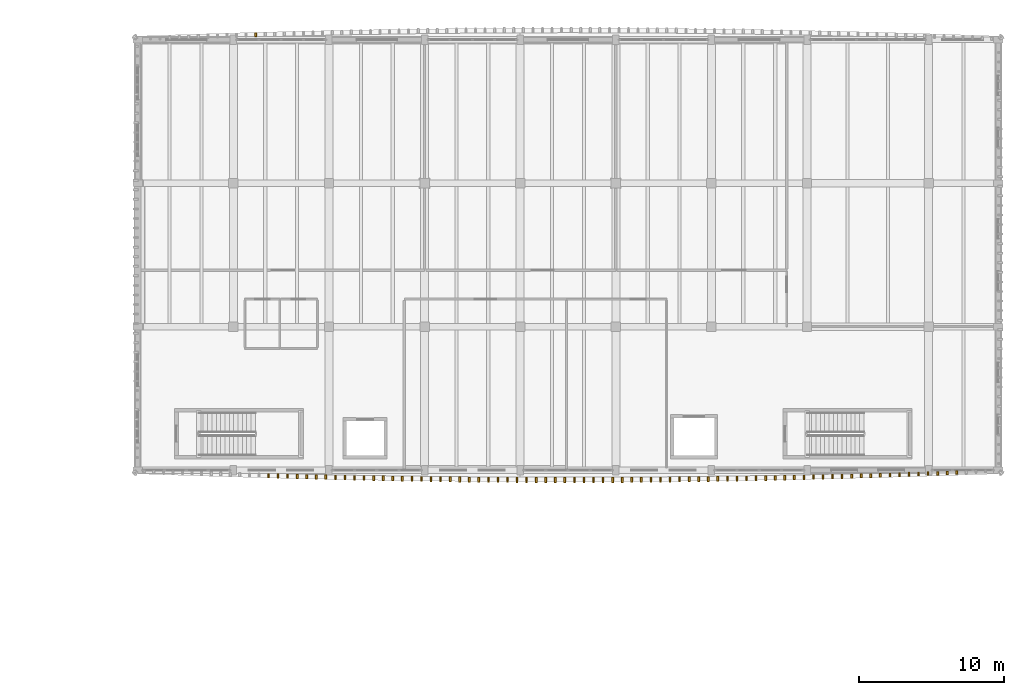
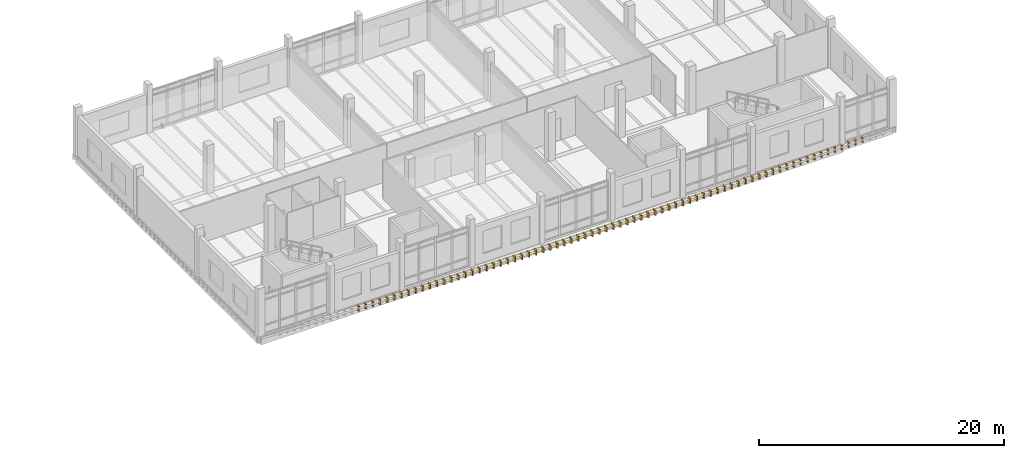
# One storey, part 73 of 76: 74 coverings.
"""IFC4 building model written with IfcOpenShell, lengths in metres."""

from ifc_helpers import new_model, si_unit, direction, frame, origin, origin_2d, place, context, subcontext, project, spatial, rectangle, extrude, material, layer, layer_set, type_object, element, save


model = new_model("IFC4")

# Units and contexts
model_context = context("Model", 3, precision=1e-05, world=origin(), true_north=direction((0.0, 1.0)))
body_context = subcontext(model_context, "Body", "Model", "MODEL_VIEW")
ifc_project = project(units=[si_unit("LENGTHUNIT", "METRE"), si_unit("AREAUNIT", "SQUARE_METRE"), si_unit("VOLUMEUNIT", "CUBIC_METRE"), si_unit("PLANEANGLEUNIT", "RADIAN"), si_unit("MASSUNIT", "GRAM", prefix="KILO")], contexts=[model_context])

# Site, building, storey
site_placement = place(None, origin())
site = spatial("IfcSite", under=ifc_project, at=site_placement, CompositionType="ELEMENT")
building_placement = place(site_placement, origin())
building = spatial("IfcBuilding", under=site, at=building_placement, Name="Dornvale Research Institute", CompositionType="ELEMENT")
storey_placement = place(building_placement, frame((0.0, 0.0, 15.0)))
storey = spatial("IfcBuildingStorey", under=building, at=storey_placement, Name="L03", CompositionType="ELEMENT", Elevation=15.0)

# Coverings
ifc_material = material(Name="Polychrome Glazed Terracotta Visor Rib Ceramic", Category="masonry")
ifc_layer = layer(ifc_material, 0.1201171875)
ifc_layer_set = layer_set([ifc_layer], Name="Polychrome Glazed Terracotta Visor Rib Ceramic")
covering_type = type_object("IfcCoveringType", Name="Covering_VisorBlade_Low", PredefinedType="CLADDING", material=ifc_layer_set)
covering_1_placement = place(storey_placement, frame((127.825439453125, 92.015869140625, -0.489990234375), z_axis=(0.0, 0.0, 1.0), x_axis=(0.0, 1.0, 0.0)))
element("IfcCovering", 1, at=covering_1_placement, inside=storey, type_object=covering_type, Name="L03 V4 canted glazed terracotta visor blade #2268", PredefinedType="CLADDING", context=body_context, shape_type="SweptSolid", body=[
    extrude(rectangle(XDim=0.281982421875, YDim=0.1201171875, at=origin_2d()), origin(), (0.0, 0.0, 1.0), 0.5),
])
covering_2_placement = place(storey_placement, frame((128.4853515625, 91.996337890625, -0.489990234375), z_axis=(0.0, 0.0, 1.0), x_axis=(0.0, 1.0, 0.0)))
element("IfcCovering", 2, at=covering_2_placement, inside=storey, type_object=covering_type, Name="L03 V4 canted glazed terracotta visor blade #2269", PredefinedType="CLADDING", context=body_context, shape_type="SweptSolid", body=[
    extrude(rectangle(XDim=0.287109375, YDim=0.1201171875, at=origin_2d()), origin(), (0.0, 0.0, 1.0), 0.5),
])
covering_3_placement = place(storey_placement, frame((129.14501953125, 91.977783203125, -0.489990234375), z_axis=(0.0, 0.0, 1.0), x_axis=(0.0, 1.0, 0.0)))
element("IfcCovering", 3, at=covering_3_placement, inside=storey, type_object=covering_type, Name="L03 V4 canted glazed terracotta visor blade #2270", PredefinedType="CLADDING", context=body_context, shape_type="SweptSolid", body=[
    extrude(rectangle(XDim=0.2919921875, YDim=0.1201171875, at=origin_2d()), origin(), (0.0, 0.0, 1.0), 0.5),
])
covering_4_placement = place(storey_placement, frame((129.804931640625, 91.959716796875, -0.489990234375), z_axis=(0.0, 0.0, 1.0), x_axis=(0.0, 1.0, 0.0)))
element("IfcCovering", 4, at=covering_4_placement, inside=storey, type_object=covering_type, Name="L03 V4 canted glazed terracotta visor blade #2271", PredefinedType="CLADDING", context=body_context, shape_type="SweptSolid", body=[
    extrude(rectangle(XDim=0.297119140625, YDim=0.1201171875, at=origin_2d()), origin(), (0.0, 0.0, 1.0), 0.5),
])
covering_5_placement = place(storey_placement, frame((130.464599609375, 91.9423828125, -0.489990234375), z_axis=(0.0, 0.0, 1.0), x_axis=(0.0, 1.0, 0.0)))
element("IfcCovering", 5, at=covering_5_placement, inside=storey, type_object=covering_type, Name="L03 V4 canted glazed terracotta visor blade #2272", PredefinedType="CLADDING", context=body_context, shape_type="SweptSolid", body=[
    extrude(rectangle(XDim=0.301025390625, YDim=0.1201171875, at=origin_2d()), origin(), (0.0, 0.0, 1.0), 0.5),
])
covering_6_placement = place(storey_placement, frame((131.12451171875, 91.92626953125, -0.489990234375), z_axis=(0.0, 0.0, 1.0), x_axis=(0.0, 1.0, 0.0)))
element("IfcCovering", 6, at=covering_6_placement, inside=storey, type_object=covering_type, Name="L03 V4 canted glazed terracotta visor blade #2273", PredefinedType="CLADDING", context=body_context, shape_type="SweptSolid", body=[
    extrude(rectangle(XDim=0.304931640625, YDim=0.1201171875, at=origin_2d()), origin(), (0.0, 0.0, 1.0), 0.5),
])
covering_7_placement = place(storey_placement, frame((131.784423828125, 91.909912109375, -0.489990234375), z_axis=(0.0, 0.0, 1.0), x_axis=(0.0, 1.0, 0.0)))
element("IfcCovering", 7, at=covering_7_placement, inside=storey, type_object=covering_type, Name="L03 V4 canted glazed terracotta visor blade #2274", PredefinedType="CLADDING", context=body_context, shape_type="SweptSolid", body=[
    extrude(rectangle(XDim=0.30908203125, YDim=0.1201171875, at=origin_2d()), origin(), (0.0, 0.0, 1.0), 0.5),
])
covering_8_placement = place(storey_placement, frame((132.4443359375, 91.89453125, -0.489990234375), z_axis=(0.0, 0.0, 1.0), x_axis=(0.0, 1.0, 0.0)))
element("IfcCovering", 8, at=covering_8_placement, inside=storey, type_object=covering_type, Name="L03 V4 canted glazed terracotta visor blade #2275", PredefinedType="CLADDING", context=body_context, shape_type="SweptSolid", body=[
    extrude(rectangle(XDim=0.31298828125, YDim=0.1201171875, at=origin_2d()), origin(), (0.0, 0.0, 1.0), 0.5),
])
covering_9_placement = place(storey_placement, frame((133.104248046875, 91.879638671875, -0.489990234375), z_axis=(0.0, 0.0, 1.0), x_axis=(0.0, 1.0, 0.0)))
element("IfcCovering", 9, at=covering_9_placement, inside=storey, type_object=covering_type, Name="L03 V4 canted glazed terracotta visor blade #2276", PredefinedType="CLADDING", context=body_context, shape_type="SweptSolid", body=[
    extrude(rectangle(XDim=0.31689453125, YDim=0.1201171875, at=origin_2d()), origin(), (0.0, 0.0, 1.0), 0.5),
])
covering_10_placement = place(storey_placement, frame((133.763916015625, 91.864990234375, -0.489990234375), z_axis=(0.0, 0.0, 1.0), x_axis=(0.0, 1.0, 0.0)))
element("IfcCovering", 10, at=covering_10_placement, inside=storey, type_object=covering_type, Name="L03 V4 canted glazed terracotta visor blade #2277", PredefinedType="CLADDING", context=body_context, shape_type="SweptSolid", body=[
    extrude(rectangle(XDim=0.321044921875, YDim=0.1201171875, at=origin_2d()), origin(), (0.0, 0.0, 1.0), 0.5),
])
covering_11_placement = place(storey_placement, frame((134.423828125, 91.851806640625, -0.489990234375), z_axis=(0.0, 0.0, 1.0), x_axis=(0.0, 1.0, 0.0)))
element("IfcCovering", 11, at=covering_11_placement, inside=storey, type_object=covering_type, Name="L03 V4 canted glazed terracotta visor blade #2278", PredefinedType="CLADDING", context=body_context, shape_type="SweptSolid", body=[
    extrude(rectangle(XDim=0.323974609375, YDim=0.1201171875, at=origin_2d()), origin(), (0.0, 0.0, 1.0), 0.5),
])
covering_12_placement = place(storey_placement, frame((135.083740234375, 91.8388671875, -0.489990234375), z_axis=(0.0, 0.0, 1.0), x_axis=(0.0, 1.0, 0.0)))
element("IfcCovering", 12, at=covering_12_placement, inside=storey, type_object=covering_type, Name="L03 V4 canted glazed terracotta visor blade #2279", PredefinedType="CLADDING", context=body_context, shape_type="SweptSolid", body=[
    extrude(rectangle(XDim=0.326904296875, YDim=0.1201171875, at=origin_2d()), origin(), (0.0, 0.0, 1.0), 0.5),
])
covering_13_placement = place(storey_placement, frame((135.743896484375, 91.826904296875, -0.489990234375), z_axis=(0.0, 0.0, 1.0), x_axis=(0.0, 1.0, 0.0)))
element("IfcCovering", 13, at=covering_13_placement, inside=storey, type_object=covering_type, Name="L03 V4 canted glazed terracotta visor blade #2280", PredefinedType="CLADDING", context=body_context, shape_type="SweptSolid", body=[
    extrude(rectangle(XDim=0.330078125, YDim=0.1201171875, at=origin_2d()), origin(), (0.0, 0.0, 1.0), 0.5),
])
covering_14_placement = place(storey_placement, frame((136.40380859375, 91.815185546875, -0.489990234375), z_axis=(0.0, 0.0, 1.0), x_axis=(0.0, 1.0, 0.0)))
element("IfcCovering", 14, at=covering_14_placement, inside=storey, type_object=covering_type, Name="L03 V4 canted glazed terracotta visor blade #2281", PredefinedType="CLADDING", context=body_context, shape_type="SweptSolid", body=[
    extrude(rectangle(XDim=0.3330078125, YDim=0.1201171875, at=origin_2d()), origin(), (0.0, 0.0, 1.0), 0.5),
])
covering_15_placement = place(storey_placement, frame((137.063720703125, 91.8037109375, -0.489990234375), z_axis=(0.0, 0.0, 1.0), x_axis=(0.0, 1.0, 0.0)))
element("IfcCovering", 15, at=covering_15_placement, inside=storey, type_object=covering_type, Name="L03 V4 canted glazed terracotta visor blade #2282", PredefinedType="CLADDING", context=body_context, shape_type="SweptSolid", body=[
    extrude(rectangle(XDim=0.3359375, YDim=0.1201171875, at=origin_2d()), origin(), (0.0, 0.0, 1.0), 0.5),
])
covering_16_placement = place(storey_placement, frame((137.723388671875, 91.793212890625, -0.489990234375), z_axis=(0.0, 0.0, 1.0), x_axis=(0.0, 1.0, 0.0)))
element("IfcCovering", 16, at=covering_16_placement, inside=storey, type_object=covering_type, Name="L03 V4 canted glazed terracotta visor blade #2283", PredefinedType="CLADDING", context=body_context, shape_type="SweptSolid", body=[
    extrude(rectangle(XDim=0.339111328125, YDim=0.1201171875, at=origin_2d()), origin(), (0.0, 0.0, 1.0), 0.5),
])
covering_17_placement = place(storey_placement, frame((138.383544921875, 91.783447265625, -0.489990234375), z_axis=(0.0, 0.0, 1.0), x_axis=(0.0, 1.0, 0.0)))
element("IfcCovering", 17, at=covering_17_placement, inside=storey, type_object=covering_type, Name="L03 V4 canted glazed terracotta visor blade #2284", PredefinedType="CLADDING", context=body_context, shape_type="SweptSolid", body=[
    extrude(rectangle(XDim=0.341064453125, YDim=0.1201171875, at=origin_2d()), origin(), (0.0, 0.0, 1.0), 0.5),
])
covering_18_placement = place(storey_placement, frame((139.04345703125, 91.774169921875, -0.489990234375), z_axis=(0.0, 0.0, 1.0), x_axis=(0.0, 1.0, 0.0)))
element("IfcCovering", 18, at=covering_18_placement, inside=storey, type_object=covering_type, Name="L03 V4 canted glazed terracotta visor blade #2285", PredefinedType="CLADDING", context=body_context, shape_type="SweptSolid", body=[
    extrude(rectangle(XDim=0.343994140625, YDim=0.1201171875, at=origin_2d()), origin(), (0.0, 0.0, 1.0), 0.5),
])
covering_19_placement = place(storey_placement, frame((139.703369140625, 91.765625, -0.489990234375), z_axis=(0.0, 0.0, 1.0), x_axis=(0.0, 1.0, 0.0)))
element("IfcCovering", 19, at=covering_19_placement, inside=storey, type_object=covering_type, Name="L03 V4 canted glazed terracotta visor blade #2286", PredefinedType="CLADDING", context=body_context, shape_type="SweptSolid", body=[
    extrude(rectangle(XDim=0.345947265625, YDim=0.1201171875, at=origin_2d()), origin(), (0.0, 0.0, 1.0), 0.5),
])
covering_20_placement = place(storey_placement, frame((140.36328125, 91.75732421875, -0.489990234375), z_axis=(0.0, 0.0, 1.0), x_axis=(0.0, 1.0, 0.0)))
element("IfcCovering", 20, at=covering_20_placement, inside=storey, type_object=covering_type, Name="L03 V4 canted glazed terracotta visor blade #2287", PredefinedType="CLADDING", context=body_context, shape_type="SweptSolid", body=[
    extrude(rectangle(XDim=0.347900390625, YDim=0.1201171875, at=origin_2d()), origin(), (0.0, 0.0, 1.0), 0.5),
])
covering_21_placement = place(storey_placement, frame((141.023193359375, 91.750244140625, -0.489990234375), z_axis=(0.0, 0.0, 1.0), x_axis=(0.0, 1.0, 0.0)))
element("IfcCovering", 21, at=covering_21_placement, inside=storey, type_object=covering_type, Name="L03 V4 canted glazed terracotta visor blade #2288", PredefinedType="CLADDING", context=body_context, shape_type="SweptSolid", body=[
    extrude(rectangle(XDim=0.35009765625, YDim=0.1201171875, at=origin_2d()), origin(), (0.0, 0.0, 1.0), 0.5),
])
covering_22_placement = place(storey_placement, frame((141.683349609375, 91.7431640625, -0.489990234375), z_axis=(0.0, 0.0, 1.0), x_axis=(0.0, 1.0, 0.0)))
element("IfcCovering", 22, at=covering_22_placement, inside=storey, type_object=covering_type, Name="L03 V4 canted glazed terracotta visor blade #2289", PredefinedType="CLADDING", context=body_context, shape_type="SweptSolid", body=[
    extrude(rectangle(XDim=0.35205078125, YDim=0.1201171875, at=origin_2d()), origin(), (0.0, 0.0, 1.0), 0.5),
])
covering_23_placement = place(storey_placement, frame((142.34326171875, 91.737548828125, -0.489990234375), z_axis=(0.0, 0.0, 1.0), x_axis=(0.0, 1.0, 0.0)))
element("IfcCovering", 23, at=covering_23_placement, inside=storey, type_object=covering_type, Name="L03 V4 canted glazed terracotta visor blade #2290", PredefinedType="CLADDING", context=body_context, shape_type="SweptSolid", body=[
    extrude(rectangle(XDim=0.35302734375, YDim=0.1201171875, at=origin_2d()), origin(), (0.0, 0.0, 1.0), 0.5),
])
covering_24_placement = place(storey_placement, frame((143.00341796875, 91.731689453125, -0.489990234375), z_axis=(0.0, 0.0, 1.0), x_axis=(0.0, 1.0, 0.0)))
element("IfcCovering", 24, at=covering_24_placement, inside=storey, type_object=covering_type, Name="L03 V4 canted glazed terracotta visor blade #2291", PredefinedType="CLADDING", context=body_context, shape_type="SweptSolid", body=[
    extrude(rectangle(XDim=0.35498046875, YDim=0.1201171875, at=origin_2d()), origin(), (0.0, 0.0, 1.0), 0.5),
])
covering_25_placement = place(storey_placement, frame((143.6630859375, 91.726806640625, -0.489990234375), z_axis=(0.0, 0.0, 1.0), x_axis=(0.0, 1.0, 0.0)))
element("IfcCovering", 25, at=covering_25_placement, inside=storey, type_object=covering_type, Name="L03 V4 canted glazed terracotta visor blade #2292", PredefinedType="CLADDING", context=body_context, shape_type="SweptSolid", body=[
    extrude(rectangle(XDim=0.35595703125, YDim=0.1201171875, at=origin_2d()), origin(), (0.0, 0.0, 1.0), 0.5),
])
covering_26_placement = place(storey_placement, frame((144.3232421875, 91.722900390625, -0.489990234375), z_axis=(0.0, 0.0, 1.0), x_axis=(0.0, 1.0, 0.0)))
element("IfcCovering", 26, at=covering_26_placement, inside=storey, type_object=covering_type, Name="L03 V4 canted glazed terracotta visor blade #2293", PredefinedType="CLADDING", context=body_context, shape_type="SweptSolid", body=[
    extrude(rectangle(XDim=0.35693359375, YDim=0.1201171875, at=origin_2d()), origin(), (0.0, 0.0, 1.0), 0.5),
])
covering_27_placement = place(storey_placement, frame((144.983154296875, 91.718994140625, -0.489990234375), z_axis=(0.0, 0.0, 1.0), x_axis=(0.0, 1.0, 0.0)))
element("IfcCovering", 27, at=covering_27_placement, inside=storey, type_object=covering_type, Name="L03 V4 canted glazed terracotta visor blade #2294", PredefinedType="CLADDING", context=body_context, shape_type="SweptSolid", body=[
    extrude(rectangle(XDim=0.35791015625, YDim=0.1201171875, at=origin_2d()), origin(), (0.0, 0.0, 1.0), 0.5),
])
for number, where, z_axis, x_axis, name in (
    (28, (145.643310546875, 91.7158203125, -0.489990234375), (0.0, 0.0, 1.0), (0.0, 1.0, 0.0), "L03 V4 canted glazed terracotta visor blade #2295"),
    (29, (146.30322265625, 91.7138671875, -0.489990234375), (0.0, 0.0, 1.0), (0.0, 1.0, 0.0), "L03 V4 canted glazed terracotta visor blade #2296"),
):
    element("IfcCovering", number, at=place(storey_placement, frame(where, z_axis=z_axis, x_axis=x_axis)), inside=storey, type_object=covering_type, Name=name, PredefinedType="CLADDING", context=body_context, shape_type="SweptSolid", body=[
        extrude(rectangle(XDim=0.35888671875, YDim=0.1201171875, at=origin_2d()), origin(), (0.0, 0.0, 1.0), 0.5),
    ])
for number, where, z_axis, x_axis, name in (
    (30, (146.963134765625, 91.711669921875, -0.489990234375), (0.0, 0.0, 1.0), (0.0, 1.0, 0.0), "L03 V4 canted glazed terracotta visor blade #2297"),
    (31, (147.623291015625, 91.7109375, -0.489990234375), (0.0, 0.0, 1.0), (0.0, 1.0, 0.0), "L03 V4 canted glazed terracotta visor blade #2298"),
    (32, (148.283203125, 91.710205078125, -0.489990234375), (0.0, 0.0, 1.0), (0.0, 1.0, 0.0), "L03 V4 canted glazed terracotta visor blade #2299"),
    (33, (148.943115234375, 91.71044921875, -0.489990234375), (0.0, 0.0, 1.0), (0.0, 1.0, 0.0), "L03 V4 canted glazed terracotta visor blade #2300"),
    (34, (149.603271484375, 91.711181640625, -0.489990234375), (0.0, 0.0, 1.0), (0.0, 1.0, 0.0), "L03 V4 canted glazed terracotta visor blade #2301"),
):
    element("IfcCovering", number, at=place(storey_placement, frame(where, z_axis=z_axis, x_axis=x_axis)), inside=storey, type_object=covering_type, Name=name, PredefinedType="CLADDING", context=body_context, shape_type="SweptSolid", body=[
        extrude(rectangle(XDim=0.360107421875, YDim=0.1201171875, at=origin_2d()), origin(), (0.0, 0.0, 1.0), 0.5),
    ])
for number, where, z_axis, x_axis, name in (
    (35, (150.26318359375, 91.71240234375, -0.489990234375), (0.0, 0.0, 1.0), (0.0, 1.0, 0.0), "L03 V4 canted glazed terracotta visor blade #2302"),
    (36, (150.923095703125, 91.714599609375, -0.489990234375), (0.0, 0.0, 1.0), (0.0, 1.0, 0.0), "L03 V4 canted glazed terracotta visor blade #2303"),
):
    element("IfcCovering", number, at=place(storey_placement, frame(where, z_axis=z_axis, x_axis=x_axis)), inside=storey, type_object=covering_type, Name=name, PredefinedType="CLADDING", context=body_context, shape_type="SweptSolid", body=[
        extrude(rectangle(XDim=0.35888671875, YDim=0.1201171875, at=origin_2d()), origin(), (0.0, 0.0, 1.0), 0.5),
    ])
covering_28_placement = place(storey_placement, frame((151.583251953125, 91.717041015625, -0.489990234375), z_axis=(0.0, 0.0, 1.0), x_axis=(0.0, 1.0, 0.0)))
element("IfcCovering", 37, at=covering_28_placement, inside=storey, type_object=covering_type, Name="L03 V4 canted glazed terracotta visor blade #2304", PredefinedType="CLADDING", context=body_context, shape_type="SweptSolid", body=[
    extrude(rectangle(XDim=0.35791015625, YDim=0.1201171875, at=origin_2d()), origin(), (0.0, 0.0, 1.0), 0.5),
])
covering_29_placement = place(storey_placement, frame((152.2431640625, 91.720703125, -0.489990234375), z_axis=(0.0, 0.0, 1.0), x_axis=(0.0, 1.0, 0.0)))
element("IfcCovering", 38, at=covering_29_placement, inside=storey, type_object=covering_type, Name="L03 V4 canted glazed terracotta visor blade #2305", PredefinedType="CLADDING", context=body_context, shape_type="SweptSolid", body=[
    extrude(rectangle(XDim=0.35693359375, YDim=0.1201171875, at=origin_2d()), origin(), (0.0, 0.0, 1.0), 0.5),
])
covering_30_placement = place(storey_placement, frame((152.9033203125, 91.724609375, -0.489990234375), z_axis=(0.0, 0.0, 1.0), x_axis=(0.0, 1.0, 0.0)))
element("IfcCovering", 39, at=covering_30_placement, inside=storey, type_object=covering_type, Name="L03 V4 canted glazed terracotta visor blade #2306", PredefinedType="CLADDING", context=body_context, shape_type="SweptSolid", body=[
    extrude(rectangle(XDim=0.35595703125, YDim=0.1201171875, at=origin_2d()), origin(), (0.0, 0.0, 1.0), 0.5),
])
covering_31_placement = place(storey_placement, frame((153.563232421875, 91.728515625, -0.489990234375), z_axis=(0.0, 0.0, 1.0), x_axis=(0.0, 1.0, 0.0)))
element("IfcCovering", 40, at=covering_31_placement, inside=storey, type_object=covering_type, Name="L03 V4 canted glazed terracotta visor blade #2307", PredefinedType="CLADDING", context=body_context, shape_type="SweptSolid", body=[
    extrude(rectangle(XDim=0.35498046875, YDim=0.1201171875, at=origin_2d()), origin(), (0.0, 0.0, 1.0), 0.5),
])
covering_32_placement = place(storey_placement, frame((154.22314453125, 91.73388671875, -0.489990234375), z_axis=(0.0, 0.0, 1.0), x_axis=(0.0, 1.0, 0.0)))
element("IfcCovering", 41, at=covering_32_placement, inside=storey, type_object=covering_type, Name="L03 V4 canted glazed terracotta visor blade #2308", PredefinedType="CLADDING", context=body_context, shape_type="SweptSolid", body=[
    extrude(rectangle(XDim=0.35400390625, YDim=0.1201171875, at=origin_2d()), origin(), (0.0, 0.0, 1.0), 0.5),
])
covering_33_placement = place(storey_placement, frame((154.883056640625, 91.739013671875, -0.489990234375), z_axis=(0.0, 0.0, 1.0), x_axis=(0.0, 1.0, 0.0)))
element("IfcCovering", 42, at=covering_33_placement, inside=storey, type_object=covering_type, Name="L03 V4 canted glazed terracotta visor blade #2309", PredefinedType="CLADDING", context=body_context, shape_type="SweptSolid", body=[
    extrude(rectangle(XDim=0.35302734375, YDim=0.1201171875, at=origin_2d()), origin(), (0.0, 0.0, 1.0), 0.5),
])
covering_34_placement = place(storey_placement, frame((155.543212890625, 91.745849609375, -0.489990234375), z_axis=(0.0, 0.0, 1.0), x_axis=(0.0, 1.0, 0.0)))
element("IfcCovering", 43, at=covering_34_placement, inside=storey, type_object=covering_type, Name="L03 V4 canted glazed terracotta visor blade #2310", PredefinedType="CLADDING", context=body_context, shape_type="SweptSolid", body=[
    extrude(rectangle(XDim=0.35107421875, YDim=0.1201171875, at=origin_2d()), origin(), (0.0, 0.0, 1.0), 0.5),
])
covering_35_placement = place(storey_placement, frame((156.203125, 91.7529296875, -0.489990234375), z_axis=(0.0, 0.0, 1.0), x_axis=(0.0, 1.0, 0.0)))
element("IfcCovering", 44, at=covering_35_placement, inside=storey, type_object=covering_type, Name="L03 V4 canted glazed terracotta visor blade #2311", PredefinedType="CLADDING", context=body_context, shape_type="SweptSolid", body=[
    extrude(rectangle(XDim=0.34912109375, YDim=0.1201171875, at=origin_2d()), origin(), (0.0, 0.0, 1.0), 0.5),
])
covering_36_placement = place(storey_placement, frame((156.863037109375, 91.76025390625, -0.489990234375), z_axis=(0.0, 0.0, 1.0), x_axis=(0.0, 1.0, 0.0)))
element("IfcCovering", 45, at=covering_36_placement, inside=storey, type_object=covering_type, Name="L03 V4 canted glazed terracotta visor blade #2312", PredefinedType="CLADDING", context=body_context, shape_type="SweptSolid", body=[
    extrude(rectangle(XDim=0.346923828125, YDim=0.1201171875, at=origin_2d()), origin(), (0.0, 0.0, 1.0), 0.5),
])
covering_37_placement = place(storey_placement, frame((157.52294921875, 91.768798828125, -0.489990234375), z_axis=(0.0, 0.0, 1.0), x_axis=(0.0, 1.0, 0.0)))
element("IfcCovering", 46, at=covering_37_placement, inside=storey, type_object=covering_type, Name="L03 V4 canted glazed terracotta visor blade #2313", PredefinedType="CLADDING", context=body_context, shape_type="SweptSolid", body=[
    extrude(rectangle(XDim=0.344970703125, YDim=0.1201171875, at=origin_2d()), origin(), (0.0, 0.0, 1.0), 0.5),
])
covering_38_placement = place(storey_placement, frame((158.18310546875, 91.777099609375, -0.489990234375), z_axis=(0.0, 0.0, 1.0), x_axis=(0.0, 1.0, 0.0)))
element("IfcCovering", 47, at=covering_38_placement, inside=storey, type_object=covering_type, Name="L03 V4 canted glazed terracotta visor blade #2314", PredefinedType="CLADDING", context=body_context, shape_type="SweptSolid", body=[
    extrude(rectangle(XDim=0.343017578125, YDim=0.1201171875, at=origin_2d()), origin(), (0.0, 0.0, 1.0), 0.5),
])
covering_39_placement = place(storey_placement, frame((158.843017578125, 91.78662109375, -0.489990234375), z_axis=(0.0, 0.0, 1.0), x_axis=(0.0, 1.0, 0.0)))
element("IfcCovering", 48, at=covering_39_placement, inside=storey, type_object=covering_type, Name="L03 V4 canted glazed terracotta visor blade #2315", PredefinedType="CLADDING", context=body_context, shape_type="SweptSolid", body=[
    extrude(rectangle(XDim=0.341064453125, YDim=0.1201171875, at=origin_2d()), origin(), (0.0, 0.0, 1.0), 0.5),
])
covering_40_placement = place(storey_placement, frame((159.5029296875, 91.796875, -0.489990234375), z_axis=(0.0, 0.0, 1.0), x_axis=(0.0, 1.0, 0.0)))
element("IfcCovering", 49, at=covering_40_placement, inside=storey, type_object=covering_type, Name="L03 V4 canted glazed terracotta visor blade #2316", PredefinedType="CLADDING", context=body_context, shape_type="SweptSolid", body=[
    extrude(rectangle(XDim=0.337890625, YDim=0.1201171875, at=origin_2d()), origin(), (0.0, 0.0, 1.0), 0.5),
])
covering_41_placement = place(storey_placement, frame((160.162841796875, 91.807373046875, -0.489990234375), z_axis=(0.0, 0.0, 1.0), x_axis=(0.0, 1.0, 0.0)))
element("IfcCovering", 50, at=covering_41_placement, inside=storey, type_object=covering_type, Name="L03 V4 canted glazed terracotta visor blade #2317", PredefinedType="CLADDING", context=body_context, shape_type="SweptSolid", body=[
    extrude(rectangle(XDim=0.3349609375, YDim=0.1201171875, at=origin_2d()), origin(), (0.0, 0.0, 1.0), 0.5),
])
covering_42_placement = place(storey_placement, frame((160.82275390625, 91.819091796875, -0.489990234375), z_axis=(0.0, 0.0, 1.0), x_axis=(0.0, 1.0, 0.0)))
element("IfcCovering", 51, at=covering_42_placement, inside=storey, type_object=covering_type, Name="L03 V4 canted glazed terracotta visor blade #2318", PredefinedType="CLADDING", context=body_context, shape_type="SweptSolid", body=[
    extrude(rectangle(XDim=0.33203125, YDim=0.1201171875, at=origin_2d()), origin(), (0.0, 0.0, 1.0), 0.5),
])
covering_43_placement = place(storey_placement, frame((161.482666015625, 91.830810546875, -0.489990234375), z_axis=(0.0, 0.0, 1.0), x_axis=(0.0, 1.0, 0.0)))
element("IfcCovering", 52, at=covering_43_placement, inside=storey, type_object=covering_type, Name="L03 V4 canted glazed terracotta visor blade #2319", PredefinedType="CLADDING", context=body_context, shape_type="SweptSolid", body=[
    extrude(rectangle(XDim=0.3291015625, YDim=0.1201171875, at=origin_2d()), origin(), (0.0, 0.0, 1.0), 0.5),
])
covering_44_placement = place(storey_placement, frame((162.142578125, 91.843505859375, -0.489990234375), z_axis=(0.0, 0.0, 1.0), x_axis=(0.0, 1.0, 0.0)))
element("IfcCovering", 53, at=covering_44_placement, inside=storey, type_object=covering_type, Name="L03 V4 canted glazed terracotta visor blade #2320", PredefinedType="CLADDING", context=body_context, shape_type="SweptSolid", body=[
    extrude(rectangle(XDim=0.325927734375, YDim=0.1201171875, at=origin_2d()), origin(), (0.0, 0.0, 1.0), 0.5),
])
covering_45_placement = place(storey_placement, frame((162.802490234375, 91.8564453125, -0.489990234375), z_axis=(0.0, 0.0, 1.0), x_axis=(0.0, 1.0, 0.0)))
element("IfcCovering", 54, at=covering_45_placement, inside=storey, type_object=covering_type, Name="L03 V4 canted glazed terracotta visor blade #2321", PredefinedType="CLADDING", context=body_context, shape_type="SweptSolid", body=[
    extrude(rectangle(XDim=0.322998046875, YDim=0.1201171875, at=origin_2d()), origin(), (0.0, 0.0, 1.0), 0.5),
])
covering_46_placement = place(storey_placement, frame((163.46240234375, 91.8701171875, -0.489990234375), z_axis=(0.0, 0.0, 1.0), x_axis=(0.0, 1.0, 0.0)))
element("IfcCovering", 55, at=covering_46_placement, inside=storey, type_object=covering_type, Name="L03 V4 canted glazed terracotta visor blade #2322", PredefinedType="CLADDING", context=body_context, shape_type="SweptSolid", body=[
    extrude(rectangle(XDim=0.319091796875, YDim=0.1201171875, at=origin_2d()), origin(), (0.0, 0.0, 1.0), 0.5),
])
covering_47_placement = place(storey_placement, frame((164.122314453125, 91.884521484375, -0.489990234375), z_axis=(0.0, 0.0, 1.0), x_axis=(0.0, 1.0, 0.0)))
element("IfcCovering", 56, at=covering_47_placement, inside=storey, type_object=covering_type, Name="L03 V4 canted glazed terracotta visor blade #2323", PredefinedType="CLADDING", context=body_context, shape_type="SweptSolid", body=[
    extrude(rectangle(XDim=0.31591796875, YDim=0.1201171875, at=origin_2d()), origin(), (0.0, 0.0, 1.0), 0.5),
])
covering_48_placement = place(storey_placement, frame((164.781982421875, 91.8994140625, -0.489990234375), z_axis=(0.0, 0.0, 1.0), x_axis=(0.0, 1.0, 0.0)))
element("IfcCovering", 57, at=covering_48_placement, inside=storey, type_object=covering_type, Name="L03 V4 canted glazed terracotta visor blade #2324", PredefinedType="CLADDING", context=body_context, shape_type="SweptSolid", body=[
    extrude(rectangle(XDim=0.31201171875, YDim=0.1201171875, at=origin_2d()), origin(), (0.0, 0.0, 1.0), 0.5),
])
covering_49_placement = place(storey_placement, frame((165.44189453125, 91.915283203125, -0.489990234375), z_axis=(0.0, 0.0, 1.0), x_axis=(0.0, 1.0, 0.0)))
element("IfcCovering", 58, at=covering_49_placement, inside=storey, type_object=covering_type, Name="L03 V4 canted glazed terracotta visor blade #2325", PredefinedType="CLADDING", context=body_context, shape_type="SweptSolid", body=[
    extrude(rectangle(XDim=0.30810546875, YDim=0.1201171875, at=origin_2d()), origin(), (0.0, 0.0, 1.0), 0.5),
])
covering_50_placement = place(storey_placement, frame((166.101806640625, 91.931640625, -0.489990234375), z_axis=(0.0, 0.0, 1.0), x_axis=(0.0, 1.0, 0.0)))
element("IfcCovering", 59, at=covering_50_placement, inside=storey, type_object=covering_type, Name="L03 V4 canted glazed terracotta visor blade #2326", PredefinedType="CLADDING", context=body_context, shape_type="SweptSolid", body=[
    extrude(rectangle(XDim=0.303955078125, YDim=0.1201171875, at=origin_2d()), origin(), (0.0, 0.0, 1.0), 0.5),
])
covering_51_placement = place(storey_placement, frame((166.76171875, 91.947998046875, -0.489990234375), z_axis=(0.0, 0.0, 1.0), x_axis=(0.0, 1.0, 0.0)))
element("IfcCovering", 60, at=covering_51_placement, inside=storey, type_object=covering_type, Name="L03 V4 canted glazed terracotta visor blade #2327", PredefinedType="CLADDING", context=body_context, shape_type="SweptSolid", body=[
    extrude(rectangle(XDim=0.300048828125, YDim=0.1201171875, at=origin_2d()), origin(), (0.0, 0.0, 1.0), 0.5),
])
covering_52_placement = place(storey_placement, frame((167.42138671875, 91.966064453125, -0.489990234375), z_axis=(0.0, 0.0, 1.0), x_axis=(0.0, 1.0, 0.0)))
element("IfcCovering", 61, at=covering_52_placement, inside=storey, type_object=covering_type, Name="L03 V4 canted glazed terracotta visor blade #2328", PredefinedType="CLADDING", context=body_context, shape_type="SweptSolid", body=[
    extrude(rectangle(XDim=0.294921875, YDim=0.1201171875, at=origin_2d()), origin(), (0.0, 0.0, 1.0), 0.5),
])
covering_53_placement = place(storey_placement, frame((168.081298828125, 91.984130859375, -0.489990234375), z_axis=(0.0, 0.0, 1.0), x_axis=(0.0, 1.0, 0.0)))
element("IfcCovering", 62, at=covering_53_placement, inside=storey, type_object=covering_type, Name="L03 V4 canted glazed terracotta visor blade #2329", PredefinedType="CLADDING", context=body_context, shape_type="SweptSolid", body=[
    extrude(rectangle(XDim=0.2900390625, YDim=0.1201171875, at=origin_2d()), origin(), (0.0, 0.0, 1.0), 0.5),
])
covering_54_placement = place(storey_placement, frame((168.7412109375, 92.002685546875, -0.489990234375), z_axis=(0.0, 0.0, 1.0), x_axis=(0.0, 1.0, 0.0)))
element("IfcCovering", 63, at=covering_54_placement, inside=storey, type_object=covering_type, Name="L03 V4 canted glazed terracotta visor blade #2330", PredefinedType="CLADDING", context=body_context, shape_type="SweptSolid", body=[
    extrude(rectangle(XDim=0.285888671875, YDim=0.1201171875, at=origin_2d()), origin(), (0.0, 0.0, 1.0), 0.5),
])
covering_55_placement = place(storey_placement, frame((169.40087890625, 92.022216796875, -0.489990234375), z_axis=(0.0, 0.0, 1.0), x_axis=(0.0, 1.0, 0.0)))
element("IfcCovering", 64, at=covering_55_placement, inside=storey, type_object=covering_type, Name="L03 V4 canted glazed terracotta visor blade #2331", PredefinedType="CLADDING", context=body_context, shape_type="SweptSolid", body=[
    extrude(rectangle(XDim=0.281005859375, YDim=0.1201171875, at=origin_2d()), origin(), (0.0, 0.0, 1.0), 0.5),
])
covering_56_placement = place(storey_placement, frame((170.060546875, 92.0419921875, -0.489990234375), z_axis=(0.0, 0.0, 1.0), x_axis=(0.0, 1.0, 0.0)))
element("IfcCovering", 65, at=covering_56_placement, inside=storey, type_object=covering_type, Name="L03 V4 canted glazed terracotta visor blade #2332", PredefinedType="CLADDING", context=body_context, shape_type="SweptSolid", body=[
    extrude(rectangle(XDim=0.27587890625, YDim=0.1201171875, at=origin_2d()), origin(), (0.0, 0.0, 1.0), 0.5),
])
covering_57_placement = place(storey_placement, frame((170.720458984375, 92.063232421875, -0.489990234375), z_axis=(0.0, 0.0, 1.0), x_axis=(0.0, 1.0, 0.0)))
element("IfcCovering", 66, at=covering_57_placement, inside=storey, type_object=covering_type, Name="L03 V4 canted glazed terracotta visor blade #2333", PredefinedType="CLADDING", context=body_context, shape_type="SweptSolid", body=[
    extrude(rectangle(XDim=0.27001953125, YDim=0.1201171875, at=origin_2d()), origin(), (0.0, 0.0, 1.0), 0.5),
])
covering_58_placement = place(storey_placement, frame((171.380126953125, 92.083984375, -0.489990234375), z_axis=(0.0, 0.0, 1.0), x_axis=(0.0, 1.0, 0.0)))
element("IfcCovering", 67, at=covering_58_placement, inside=storey, type_object=covering_type, Name="L03 V4 canted glazed terracotta visor blade #2334", PredefinedType="CLADDING", context=body_context, shape_type="SweptSolid", body=[
    extrude(rectangle(XDim=0.264892578125, YDim=0.1201171875, at=origin_2d()), origin(), (0.0, 0.0, 1.0), 0.5),
])
covering_59_placement = place(storey_placement, frame((172.039794921875, 92.105712890625, -0.489990234375), z_axis=(0.0, 0.0, 1.0), x_axis=(0.0, 1.0, 0.0)))
element("IfcCovering", 68, at=covering_59_placement, inside=storey, type_object=covering_type, Name="L03 V4 canted glazed terracotta visor blade #2335", PredefinedType="CLADDING", context=body_context, shape_type="SweptSolid", body=[
    extrude(rectangle(XDim=0.260009765625, YDim=0.1201171875, at=origin_2d()), origin(), (0.0, 0.0, 1.0), 0.5),
])
covering_60_placement = place(storey_placement, frame((172.699462890625, 92.12841796875, -0.489990234375), z_axis=(0.0, 0.0, 1.0), x_axis=(0.0, 1.0, 0.0)))
element("IfcCovering", 69, at=covering_60_placement, inside=storey, type_object=covering_type, Name="L03 V4 canted glazed terracotta visor blade #2336", PredefinedType="CLADDING", context=body_context, shape_type="SweptSolid", body=[
    extrude(rectangle(XDim=0.25390625, YDim=0.1201171875, at=origin_2d()), origin(), (0.0, 0.0, 1.0), 0.5),
])
covering_61_placement = place(storey_placement, frame((173.359130859375, 92.1513671875, -0.489990234375), z_axis=(0.0, 0.0, 1.0), x_axis=(0.0, 1.0, 0.0)))
element("IfcCovering", 70, at=covering_61_placement, inside=storey, type_object=covering_type, Name="L03 V4 canted glazed terracotta visor blade #2337", PredefinedType="CLADDING", context=body_context, shape_type="SweptSolid", body=[
    extrude(rectangle(XDim=0.248046875, YDim=0.1201171875, at=origin_2d()), origin(), (0.0, 0.0, 1.0), 0.5),
])
covering_62_placement = place(storey_placement, frame((174.018798828125, 92.175537109375, -0.489990234375), z_axis=(0.0, 0.0, 1.0), x_axis=(0.0, 1.0, 0.0)))
element("IfcCovering", 71, at=covering_62_placement, inside=storey, type_object=covering_type, Name="L03 V4 canted glazed terracotta visor blade #2338", PredefinedType="CLADDING", context=body_context, shape_type="SweptSolid", body=[
    extrude(rectangle(XDim=0.241943359375, YDim=0.1201171875, at=origin_2d()), origin(), (0.0, 0.0, 1.0), 0.5),
])
covering_63_placement = place(storey_placement, frame((174.6787109375, 92.199462890625, -0.489990234375), z_axis=(0.0, 0.0, 1.0), x_axis=(0.0, 1.0, 0.0)))
element("IfcCovering", 72, at=covering_63_placement, inside=storey, type_object=covering_type, Name="L03 V4 canted glazed terracotta visor blade #2339", PredefinedType="CLADDING", context=body_context, shape_type="SweptSolid", body=[
    extrude(rectangle(XDim=0.236083984375, YDim=0.1201171875, at=origin_2d()), origin(), (0.0, 0.0, 1.0), 0.5),
])
covering_64_placement = place(storey_placement, frame((175.338134765625, 92.22509765625, -0.489990234375), z_axis=(0.0, 0.0, 1.0), x_axis=(0.0, 1.0, 0.0)))
element("IfcCovering", 73, at=covering_64_placement, inside=storey, type_object=covering_type, Name="L03 V4 canted glazed terracotta visor blade #2340", PredefinedType="CLADDING", context=body_context, shape_type="SweptSolid", body=[
    extrude(rectangle(XDim=0.22900390625, YDim=0.1201171875, at=origin_2d()), origin(), (0.0, 0.0, 1.0), 0.5),
])
covering_65_placement = place(storey_placement, frame((126.939453125, 122.4580078125, -0.489990234375), z_axis=(0.0, 0.0, 1.0), x_axis=(0.0, 1.0, 0.0)))
element("IfcCovering", 74, at=covering_65_placement, inside=storey, type_object=covering_type, Name="L03 V4 canted glazed terracotta visor blade #2421", PredefinedType="CLADDING", context=body_context, shape_type="SweptSolid", body=[
    extrude(rectangle(XDim=0.27587890625, YDim=0.1201171875, at=origin_2d()), origin(), (0.0, 0.0, 1.0), 0.5),
])

save(model, "model.ifc")
